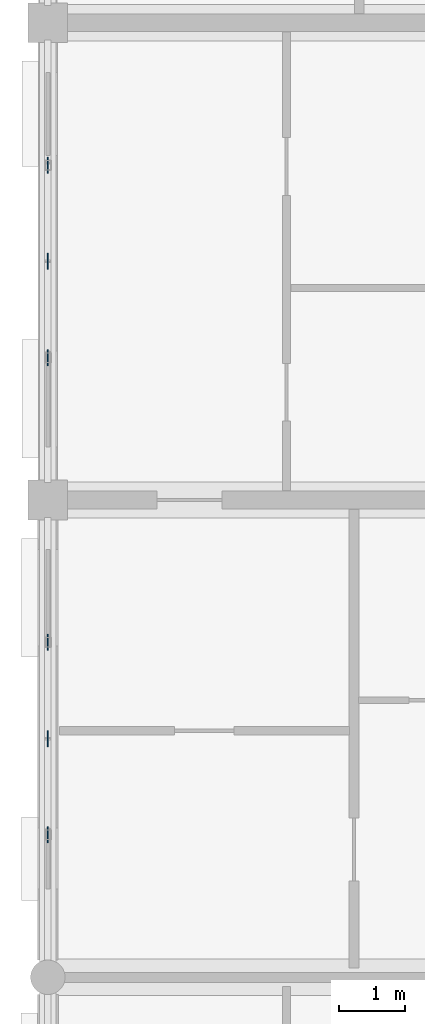
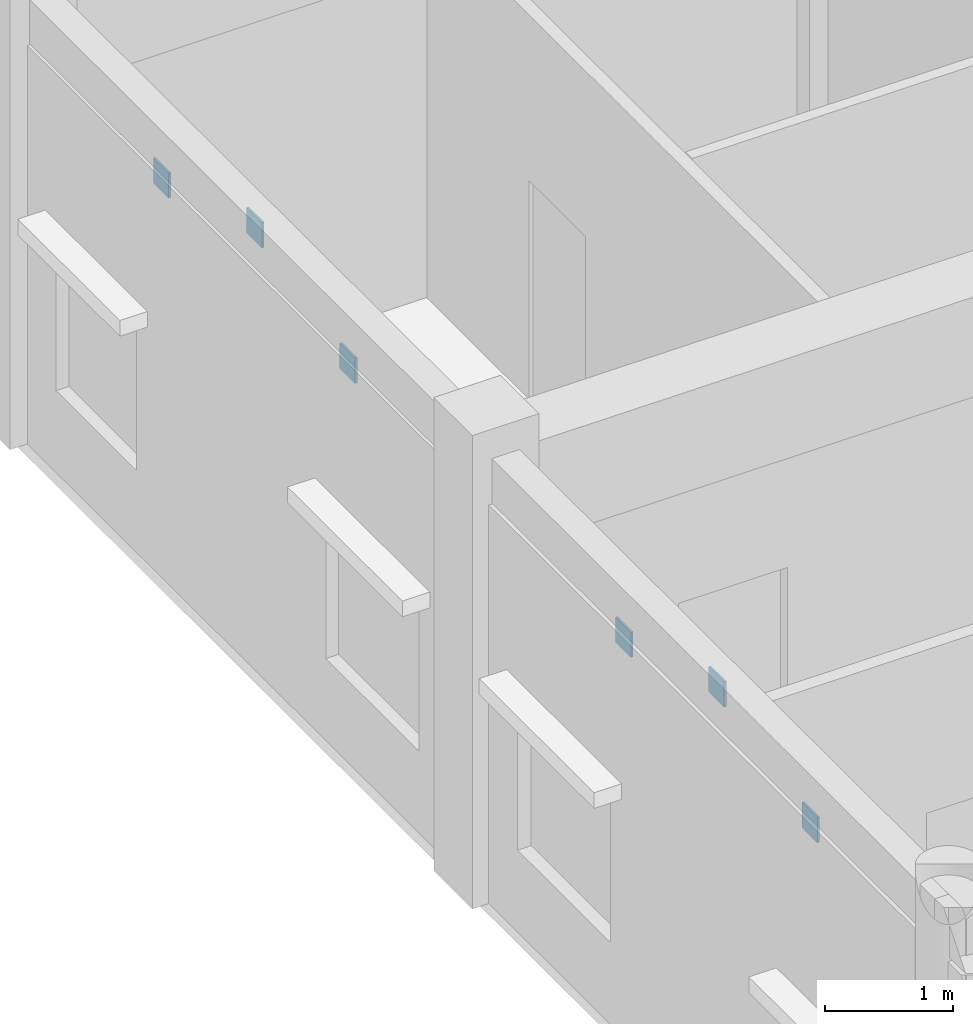
# One storey, part 66 of 138: 6 plates.
"""IFC4 building model written with IfcOpenShell, lengths in metres."""

from ifc_helpers import new_model, si_unit, direction, frame, origin, origin_2d, place, context, subcontext, project, spatial, rectangle, extrude, material, layer, layer_set, type_object, element, save


model = new_model("IFC4")

# Units and contexts
model_context = context("Model", 3, precision=1e-05, world=origin(), true_north=direction((0.0, 1.0)))
body_context = subcontext(model_context, "Body", "Model", "MODEL_VIEW")
ifc_project = project(units=[si_unit("LENGTHUNIT", "METRE"), si_unit("AREAUNIT", "SQUARE_METRE"), si_unit("VOLUMEUNIT", "CUBIC_METRE"), si_unit("PLANEANGLEUNIT", "RADIAN"), si_unit("MASSUNIT", "GRAM", prefix="KILO"), si_unit("THERMODYNAMICTEMPERATUREUNIT", "KELVIN"), si_unit("POWERUNIT", "WATT")], contexts=[model_context])

# Site, building, storey
site_placement = place(None, origin())
site = spatial("IfcSite", under=ifc_project, at=site_placement, CompositionType="ELEMENT")
building_placement = place(site_placement, origin())
building = spatial("IfcBuilding", under=site, at=building_placement, Name="Tavuni Mirador Residences", CompositionType="ELEMENT")
storey_placement = place(building_placement, origin())
storey = spatial("IfcBuildingStorey", under=building, at=storey_placement, Name="L00", CompositionType="ELEMENT", Elevation=0.0)

# Plates
ifc_material = material(Name="Structural steel S355", Category="steel")
ifc_layer = layer(ifc_material, 0.01806640625, Name="Structural steel S355", Category="steel")
ifc_layer_set = layer_set([ifc_layer], Name="Structural steel S355")
plate_type = type_object("IfcPlateType", Name="PLT-GP05", PredefinedType="USERDEFINED", material=ifc_layer_set)
for number, where, z_axis, x_axis, name in (
    (1, (3.60009765625, 23.748046875, 3.4814453125), (0.0, 0.0, 1.0), (1.0, 0.0, 0.0), "ARCH-BLKA-W-02-GQ1"),
    (2, (3.60009765625, 25.199951171875, 3.89013671875), (0.0, 0.0, 1.0), (1.0, 0.0, 0.0), "ARCH-BLKA-W-02-GCR"),
    (3, (3.60009765625, 26.652099609375, 3.4814453125), (0.0, 0.0, 1.0), (1.0, 0.0, 0.0), "ARCH-BLKA-W-02-GQ2"),
    (4, (3.60009765625, 30.947998046875, 3.4814453125), (0.0, 0.0, 1.0), (1.0, 0.0, 0.0), "ARCH-BLKA-W-03-GQ1"),
    (5, (3.60009765625, 32.39990234375, 3.89013671875), (0.0, 0.0, 1.0), (1.0, 0.0, 0.0), "ARCH-BLKA-W-03-GCR"),
    (6, (3.60009765625, 33.85205078125, 3.4814453125), (0.0, 0.0, 1.0), (1.0, 0.0, 0.0), "ARCH-BLKA-W-03-GQ2"),
):
    element("IfcPlate", number, at=place(storey_placement, frame(where, z_axis=z_axis, x_axis=x_axis)), inside=storey, type_object=plate_type, Name=name, ObjectType="GUSSET PLATE", PredefinedType="USERDEFINED", context=body_context, shape_type="SweptSolid", body=[
        extrude(rectangle(XDim=0.02001953125, YDim=0.239990234375, at=origin_2d()), origin(), (0.0, 0.0, 1.0), 0.239990234375),
    ])

save(model, "model.ifc")
